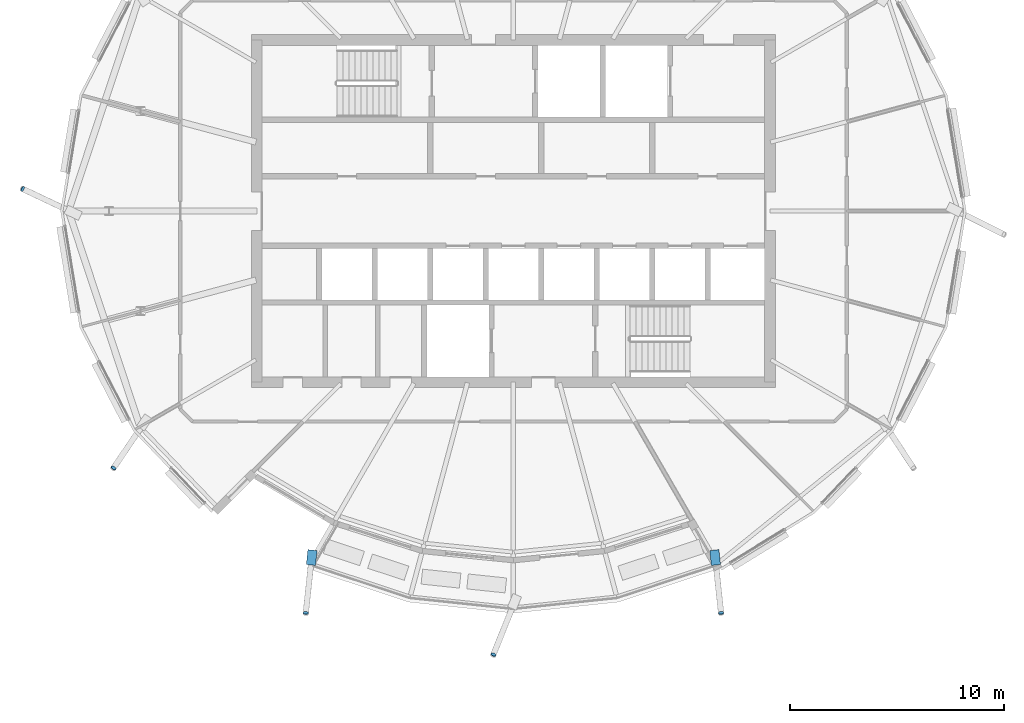
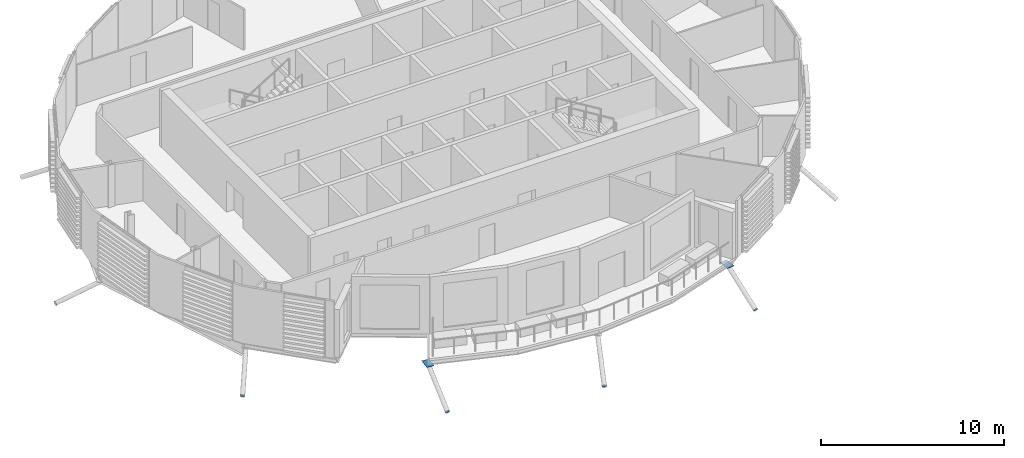
# One storey, part 27 of 41: 7 discrete accessories.
"""IFC4 building model written with IfcOpenShell, lengths in metres."""

from ifc_helpers import new_model, si_unit, direction, frame, origin, origin_2d, place, context, subcontext, project, spatial, polyline, rectangle, circle, outline, extrude, material, material_profile, profile_set, type_object, element, save


model = new_model("IFC4")

# Units and contexts
model_context = context("Model", 3, precision=1e-05, world=origin(), true_north=direction((0.0, 1.0)))
body_context = subcontext(model_context, "Body", "Model", "MODEL_VIEW")
ifc_project = project(units=[si_unit("LENGTHUNIT", "METRE"), si_unit("AREAUNIT", "SQUARE_METRE"), si_unit("VOLUMEUNIT", "CUBIC_METRE"), si_unit("PLANEANGLEUNIT", "RADIAN"), si_unit("MASSUNIT", "GRAM", prefix="KILO")], contexts=[model_context])

# Site, building, storey
site_placement = place(None, origin())
site = spatial("IfcSite", under=ifc_project, at=site_placement, CompositionType="ELEMENT")
building_placement = place(site_placement, origin())
building = spatial("IfcBuilding", under=site, at=building_placement, Name="Rimbun Link Towers", CompositionType="ELEMENT")
storey_placement = place(building_placement, frame((0.0, 0.0, 210.5)))
storey = spatial("IfcBuildingStorey", under=building, at=storey_placement, Name="L51", CompositionType="ELEMENT", Elevation=210.5)

# Discrete accessories
ifc_material_1 = material(Name="Steel S355J2H", Category="steel")
ifc_material_profile_1 = material_profile(ifc_material_1, circle(Radius=0.1240234375, at=origin_2d()), Name="PL D248")
ifc_profile_set_1 = profile_set([ifc_material_profile_1], Name="Steel S355J2H")
discrete_accessory_type_1 = type_object("IfcDiscreteAccessoryType", Name="Link foot sealing plate D248X20", PredefinedType="BRACKET", material=ifc_profile_set_1)
discrete_accessory_1_placement = place(storey_placement, frame((-54.69580078125, 1.03369140625, -2.393310546875), z_axis=(-0.802672654344, 0.377012913404, -0.462144861592), x_axis=(-0.425136471467, -0.905129261834, 0.0)))
element("IfcDiscreteAccessory", 1, at=discrete_accessory_1_placement, inside=storey, type_object=discrete_accessory_type_1, Name="Link foot sealing plate T1 L51 12", PredefinedType="BRACKET", context=body_context, shape_type="SweptSolid", body=[
    extrude(circle(Radius=0.1240234375, at=origin_2d()), origin(), (0.0, 0.0, 1.0), 0.02001953125),
])
discrete_accessory_2_placement = place(storey_placement, frame((-50.447509765625, -12.010986328125, -2.11669921875), z_axis=(-0.479367312292, -0.700613764118, -0.528533190475), x_axis=(0.82530726125, -0.564683915592, 0.0)))
element("IfcDiscreteAccessory", 2, at=discrete_accessory_2_placement, inside=storey, type_object=discrete_accessory_type_1, Name="Link foot sealing plate T1 L51 14", PredefinedType="BRACKET", context=body_context, shape_type="SweptSolid", body=[
    extrude(circle(Radius=0.1240234375, at=origin_2d()), origin(), (0.0, 0.0, 1.0), 0.019775390625),
])
for number, where, z_axis, x_axis, name in (
    (3, (-41.458984375, -18.78857421875, -2.216796875), (-0.097531969819, -0.853404735915, -0.512042841549), (0.993532672656, -0.113546591161, 0.0), "Link foot sealing plate T1 L51 16"),
    (4, (-32.68408203125, -20.736083984375, -2.398193359375), (-0.304380509908, -0.779214105364, -0.547884917834), (0.93145734948, -0.36385052714, 0.0), "Link foot sealing plate T1 L51 18"),
    (5, (-22.041015625, -18.78857421875, -2.216796875), (0.097531969819, -0.853404735915, -0.512042841549), (0.993532672656, 0.113546591161, 0.0), "Link foot sealing plate T1 L51 20"),
):
    element("IfcDiscreteAccessory", number, at=place(storey_placement, frame(where, z_axis=z_axis, x_axis=x_axis)), inside=storey, type_object=discrete_accessory_type_1, Name=name, PredefinedType="BRACKET", context=body_context, shape_type="SweptSolid", body=[
        extrude(circle(Radius=0.1240234375, at=origin_2d()), origin(), (0.0, 0.0, 1.0), 0.02001953125),
    ])
ifc_material_2 = material(Name="Steel S355J2H", Category="steel")
ifc_material_profile_2 = material_profile(ifc_material_2, rectangle(XDim=0.43310546875, YDim=0.43310546875, at=origin_2d()), Name="PL 433x433")
ifc_profile_set_2 = profile_set([ifc_material_profile_2], Name="Steel S355J2H")
discrete_accessory_type_2 = type_object("IfcDiscreteAccessoryType", Name="Link head end plate 433X20", PredefinedType="BRACKET", material=ifc_profile_set_2)
discrete_accessory_3_placement = place(storey_placement, frame((0.0, 0.0, -0.693115234375)))
element("IfcDiscreteAccessory", 6, at=discrete_accessory_3_placement, inside=storey, type_object=discrete_accessory_type_2, Name="Link head end plate T1 L51 16", PredefinedType="BRACKET", context=body_context, shape_type="SweptSolid", body=[
    extrude(outline(polyline([(-41.361572265625, -15.83349609375), (-41.435791015625, -16.529296875), (-41.00537109375, -16.5751953125), (-40.93115234375, -15.87939453125), (-41.361572265625, -15.83349609375)])), origin(), (0.0, 0.0, 1.0), 0.02001953125),
])
discrete_accessory_4_placement = place(storey_placement, frame((0.0, 0.0, -0.693115234375)))
element("IfcDiscreteAccessory", 7, at=discrete_accessory_4_placement, inside=storey, type_object=discrete_accessory_type_2, Name="Link head end plate T1 L51 20", PredefinedType="BRACKET", context=body_context, shape_type="SweptSolid", body=[
    extrude(outline(polyline([(-22.56884765625, -15.87939453125), (-22.49462890625, -16.5751953125), (-22.064208984375, -16.529296875), (-22.138427734375, -15.83349609375), (-22.56884765625, -15.87939453125)])), origin(), (0.0, 0.0, 1.0), 0.02001953125),
])

save(model, "model.ifc")
